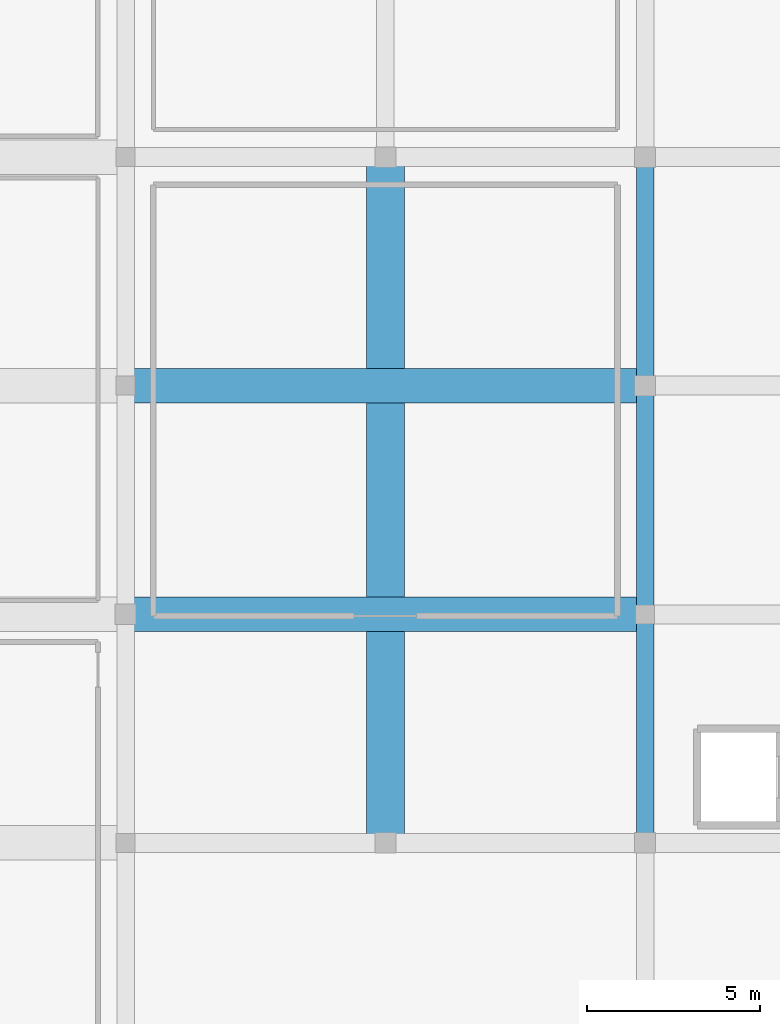
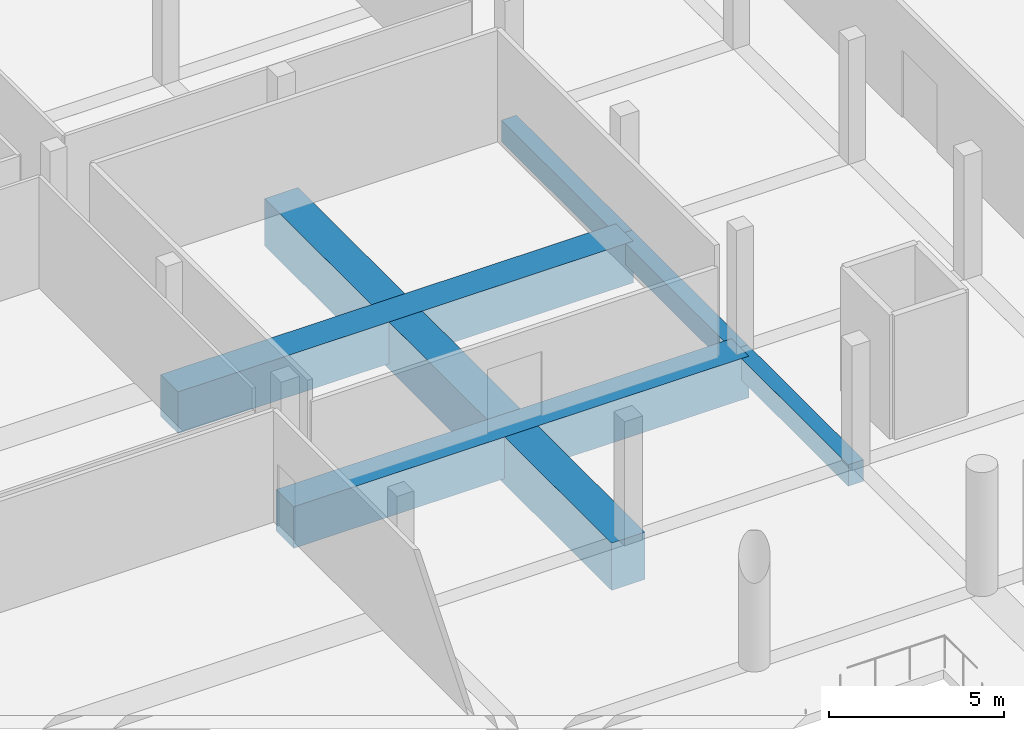
# One storey, part 20 of 68: 6 beams.
"""IFC4 building model written with IfcOpenShell, lengths in metres."""

from ifc_helpers import new_model, si_unit, direction, frame, origin, origin_2d, place, context, subcontext, project, spatial, rectangle, extrude, material, material_profile, profile_set, type_object, element, save


model = new_model("IFC4")

# Units and contexts
model_context = context("Model", 3, precision=1e-05, world=origin(), true_north=direction((0.0, 1.0)))
body_context = subcontext(model_context, "Body", "Model", "MODEL_VIEW")
ifc_project = project(units=[si_unit("LENGTHUNIT", "METRE"), si_unit("AREAUNIT", "SQUARE_METRE"), si_unit("VOLUMEUNIT", "CUBIC_METRE"), si_unit("PLANEANGLEUNIT", "RADIAN"), si_unit("MASSUNIT", "GRAM", prefix="KILO")], contexts=[model_context])

# Site, building, storey
site_placement = place(None, origin())
site = spatial("IfcSite", under=ifc_project, at=site_placement, CompositionType="ELEMENT")
building_placement = place(site_placement, origin())
building = spatial("IfcBuilding", under=site, at=building_placement, Name="Akrevak Sports Hall", CompositionType="ELEMENT")
storey_placement = place(building_placement, frame((0.0, 0.0, 9.39990234375)))
storey = spatial("IfcBuildingStorey", under=building, at=storey_placement, Name="L02", CompositionType="ELEMENT", Elevation=9.39990234375)

# Beams
ifc_material_1 = material(Name="Concrete C50/60", Category="concrete")
ifc_material_profile_1 = material_profile(ifc_material_1, rectangle(XDim=1.0, YDim=1.449951171875, at=origin_2d()), Name="BM 1000x1450", Category="concrete")
ifc_profile_set_1 = profile_set([ifc_material_profile_1], Name="Concrete C50/60")
beam_type_1 = type_object("IfcBeamType", Name="STR-BM-LG1000x1450", PredefinedType="BEAM", material=ifc_profile_set_1)
for number, where, z_axis, x_axis, name in (
    (1, (15.0, 35.39990234375, -0.724853515625), (1.0, 0.0, 0.0), (0.0, 1.0, 0.0), "Girder F/3-5 (L02)"),
    (2, (15.0, 42.0, -0.724853515625), (1.0, 0.0, 0.0), (0.0, 1.0, 0.0), "Girder G/3-5 (L02)"),
):
    element("IfcBeam", number, at=place(storey_placement, frame(where, z_axis=z_axis, x_axis=x_axis)), inside=storey, type_object=beam_type_1, Name=name, PredefinedType="BEAM", context=body_context, shape_type="SweptSolid", body=[
        extrude(rectangle(XDim=1.0, YDim=1.449951171875, at=origin_2d()), origin(), (0.0, 0.0, 1.0), 15.0),
    ])
ifc_material_profile_2 = material_profile(ifc_material_1, rectangle(XDim=1.10009765625, YDim=1.64990234375, at=origin_2d()), Name="BM 1100x1650", Category="concrete")
ifc_profile_set_2 = profile_set([ifc_material_profile_2], Name="Concrete C50/60")
beam_type_2 = type_object("IfcBeamType", Name="STR-BM-LG1100x1650", PredefinedType="BEAM", material=ifc_profile_set_2)
beam_1_placement = place(storey_placement, frame((22.5, 28.800048828125, -0.824951171875), z_axis=(0.0, 1.0, 0.0), x_axis=(-1.0, 0.0, 0.0)))
element("IfcBeam", 3, at=beam_1_placement, inside=storey, type_object=beam_type_2, Name="Girder 4/E-H (L02)", PredefinedType="BEAM", context=body_context, shape_type="SweptSolid", body=[
    extrude(rectangle(XDim=1.10009765625, YDim=1.64990234375, at=origin_2d()), origin(), (0.0, 0.0, 1.0), 19.800048828125),
])
ifc_material_2 = material(Name="Concrete C40/50", Category="concrete")
ifc_material_profile_3 = material_profile(ifc_material_2, rectangle(XDim=0.5, YDim=0.75, at=origin_2d()), Name="BM 500x750", Category="concrete")
ifc_profile_set_3 = profile_set([ifc_material_profile_3], Name="Concrete C40/50")
beam_type_3 = type_object("IfcBeamType", Name="STR-BM-RC500x750", PredefinedType="BEAM", material=ifc_profile_set_3)
beam_2_placement = place(storey_placement, frame((30.0, 28.800048828125, -0.375), z_axis=(0.0, 1.0, 0.0), x_axis=(-1.0, 0.0, 0.0)))
element("IfcBeam", 4, at=beam_2_placement, inside=storey, type_object=beam_type_3, Name="Girder 5/E-F (L02)", PredefinedType="BEAM", context=body_context, shape_type="SweptSolid", body=[
    extrude(rectangle(XDim=0.5, YDim=0.75, at=origin_2d()), origin(), (0.0, 0.0, 1.0), 6.599853515625),
])
for number, where, z_axis, x_axis, name in (
    (5, (30.0, 35.39990234375, -0.375), (0.0, 1.0, 0.0), (-1.0, 0.0, 0.0), "Girder 5/F-G (L02)"),
    (6, (30.0, 42.0, -0.375), (0.0, 1.0, 0.0), (-1.0, 0.0, 0.0), "Girder 5/G-H (L02)"),
):
    element("IfcBeam", number, at=place(storey_placement, frame(where, z_axis=z_axis, x_axis=x_axis)), inside=storey, type_object=beam_type_3, Name=name, PredefinedType="BEAM", context=body_context, shape_type="SweptSolid", body=[
        extrude(rectangle(XDim=0.5, YDim=0.75, at=origin_2d()), origin(), (0.0, 0.0, 1.0), 6.60009765625),
    ])

save(model, "model.ifc")
